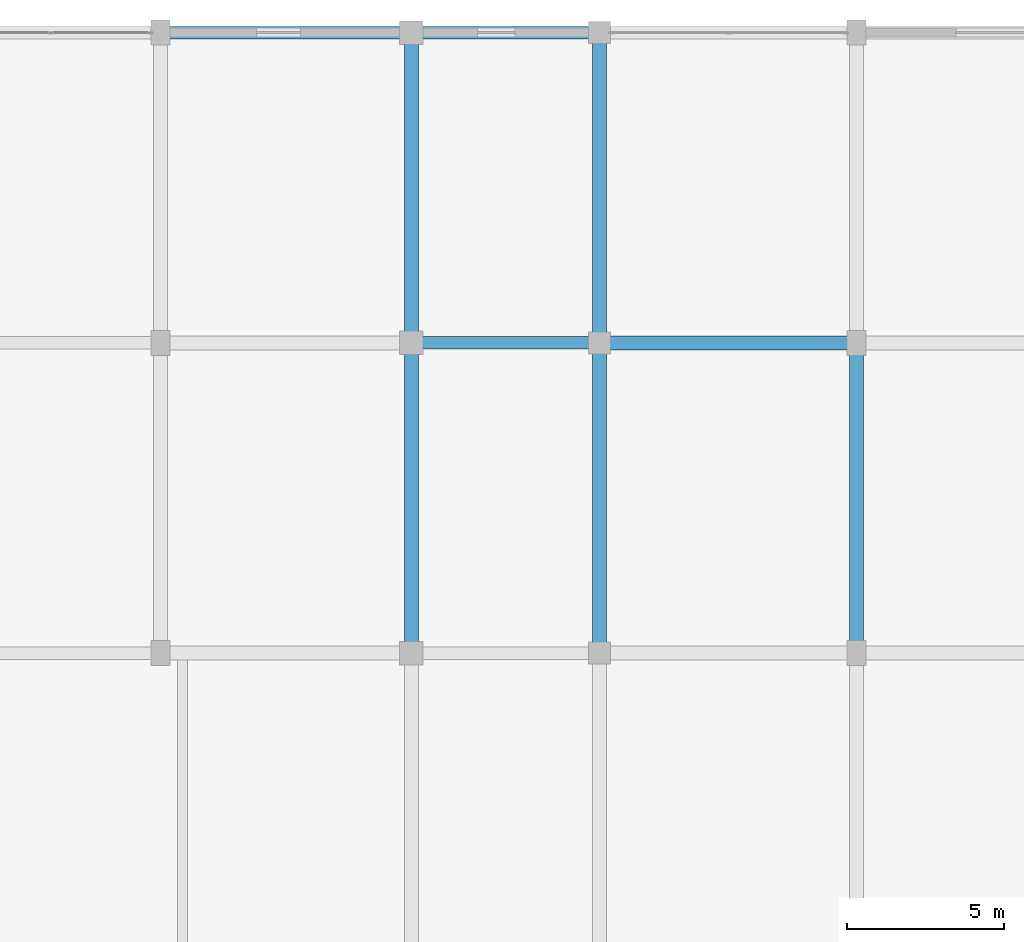
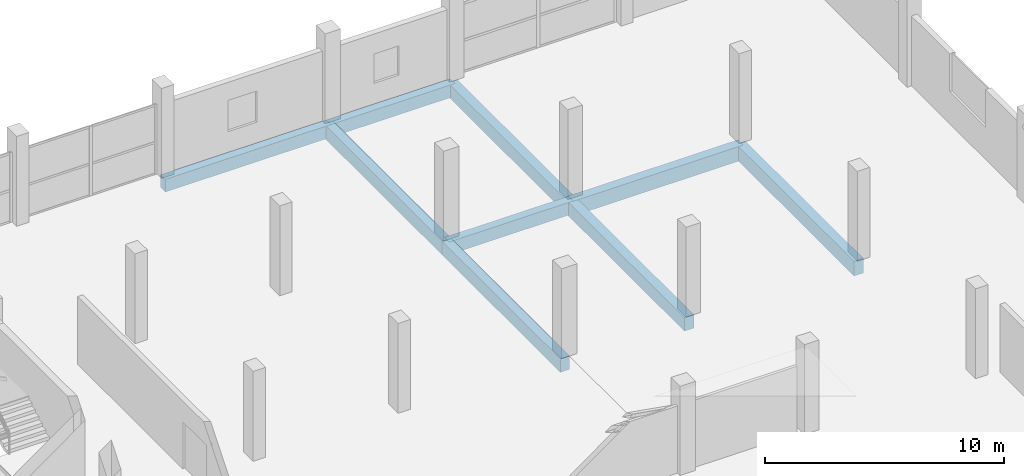
# One storey, part 34 of 58: 9 beams.
"""IFC4 building model written with IfcOpenShell, lengths in metres."""

from ifc_helpers import new_model, si_unit, direction, frame, origin, origin_2d, place, context, subcontext, project, spatial, rectangle, extrude, material, material_profile, profile_set, type_object, element, save


model = new_model("IFC4")

# Units and contexts
model_context = context("Model", 3, precision=1e-05, world=origin(), true_north=direction((0.0, 1.0)))
body_context = subcontext(model_context, "Body", "Model", "MODEL_VIEW")
ifc_project = project(units=[si_unit("LENGTHUNIT", "METRE"), si_unit("AREAUNIT", "SQUARE_METRE"), si_unit("VOLUMEUNIT", "CUBIC_METRE"), si_unit("PLANEANGLEUNIT", "RADIAN"), si_unit("MASSUNIT", "GRAM", prefix="KILO")], contexts=[model_context])

# Site, building, storey
site_placement = place(None, origin())
site = spatial("IfcSite", under=ifc_project, at=site_placement, CompositionType="ELEMENT")
building_placement = place(site_placement, origin())
building = spatial("IfcBuilding", under=site, at=building_placement, Name="Sillaruma Civic Art Gallery", CompositionType="ELEMENT")
storey_placement = place(building_placement, frame((0.0, 0.0, 28.56005859375)))
storey = spatial("IfcBuildingStorey", under=building, at=storey_placement, Name="L05", CompositionType="ELEMENT", Elevation=28.56005859375)

# Beams
ifc_material_1 = material(Name="Concrete H35 (35 MPa)", Category="concrete")
ifc_material_profile_1 = material_profile(ifc_material_1, rectangle(XDim=0.39990234375, YDim=0.64990234375, at=origin_2d()), Name="RCB400x650")
ifc_profile_set_1 = profile_set([ifc_material_profile_1], Name="Concrete H35 (35 MPa)")
beam_type_1 = type_object("IfcBeamType", Name="BM-BEAM-RCB400x650", PredefinedType="BEAM", material=ifc_profile_set_1)
beam_1_placement = place(storey_placement, frame((92.0, 89.10009765625, -0.60498046875), z_axis=(1.0, 0.0, 0.0), x_axis=(0.0, 1.0, 0.0)))
element("IfcBeam", 1, at=beam_1_placement, inside=storey, type_object=beam_type_1, Name="Beam BM-05 (L04:10:K-L)", PredefinedType="BEAM", context=body_context, shape_type="SweptSolid", body=[
    extrude(rectangle(XDim=0.39990234375, YDim=0.64990234375, at=origin_2d()), origin(), (0.0, 0.0, 1.0), 6.0),
])
ifc_material_2 = material(Name="Concrete H40 (40 MPa)", Category="concrete")
ifc_material_profile_2 = material_profile(ifc_material_2, rectangle(XDim=0.449951171875, YDim=0.75, at=origin_2d()), Name="RCB450x750")
ifc_profile_set_2 = profile_set([ifc_material_profile_2], Name="Concrete H40 (40 MPa)")
beam_type_2 = type_object("IfcBeamType", Name="BM-BEAM-RCB450x750", PredefinedType="BEAM", material=ifc_profile_set_2)
beam_2_placement = place(storey_placement, frame((98.0, 89.10009765625, -0.655029296875), z_axis=(1.0, 0.0, 0.0), x_axis=(0.0, 1.0, 0.0)))
element("IfcBeam", 2, at=beam_2_placement, inside=storey, type_object=beam_type_2, Name="Beam BM-03 (L04:10:L-M)", PredefinedType="BEAM", context=body_context, shape_type="SweptSolid", body=[
    extrude(rectangle(XDim=0.449951171875, YDim=0.75, at=origin_2d()), origin(), (0.0, 0.0, 1.0), 8.199951171875),
])
beam_3_placement = place(storey_placement, frame((106.199951171875, 79.199951171875, -0.655029296875), z_axis=(0.0, 1.0, 0.0), x_axis=(-1.0, 0.0, 0.0)))
element("IfcBeam", 3, at=beam_3_placement, inside=storey, type_object=beam_type_2, Name="Beam BM-03 (L04:M:9-10)", PredefinedType="BEAM", context=body_context, shape_type="SweptSolid", body=[
    extrude(rectangle(XDim=0.449951171875, YDim=0.75, at=origin_2d()), origin(), (0.0, 0.0, 1.0), 9.900146484375),
])
ifc_material_profile_3 = material_profile(ifc_material_1, rectangle(XDim=0.39990234375, YDim=0.64990234375, at=origin_2d()), Name="RCB400x650")
ifc_profile_set_3 = profile_set([ifc_material_profile_3], Name="Concrete H35 (35 MPa)")
beam_type_3 = type_object("IfcBeamType", Name="BM-SPANDREL-RCB400x650", PredefinedType="SPANDREL", material=ifc_profile_set_3)
beam_4_placement = place(storey_placement, frame((84.0, 99.0, -0.60498046875), z_axis=(1.0, 0.0, 0.0), x_axis=(0.0, 1.0, 0.0)))
element("IfcBeam", 4, at=beam_4_placement, inside=storey, type_object=beam_type_3, Name="Beam BS-02 (L04:11:J-K)", PredefinedType="SPANDREL", context=body_context, shape_type="SweptSolid", body=[
    extrude(rectangle(XDim=0.39990234375, YDim=0.64990234375, at=origin_2d()), origin(), (0.0, 0.0, 1.0), 8.0),
])
beam_5_placement = place(storey_placement, frame((92.0, 99.0, -0.60498046875), z_axis=(1.0, 0.0, 0.0), x_axis=(0.0, 1.0, 0.0)))
element("IfcBeam", 5, at=beam_5_placement, inside=storey, type_object=beam_type_3, Name="Beam BS-02 (L04:11:K-L)", PredefinedType="SPANDREL", context=body_context, shape_type="SweptSolid", body=[
    extrude(rectangle(XDim=0.39990234375, YDim=0.64990234375, at=origin_2d()), origin(), (0.0, 0.0, 1.0), 6.0),
])
ifc_material_profile_4 = material_profile(ifc_material_1, rectangle(XDim=0.449951171875, YDim=0.699951171875, at=origin_2d()), Name="RCB450x700")
ifc_profile_set_4 = profile_set([ifc_material_profile_4], Name="Concrete H35 (35 MPa)")
beam_type_4 = type_object("IfcBeamType", Name="BM-SPANDREL-RCB450x700", PredefinedType="SPANDREL", material=ifc_profile_set_4)
beam_6_placement = place(storey_placement, frame((92.0, 79.199951171875, -0.630126953125), z_axis=(0.0, 1.0, 0.0), x_axis=(-1.0, 0.0, 0.0)))
element("IfcBeam", 6, at=beam_6_placement, inside=storey, type_object=beam_type_4, Name="Beam BS-03 (L04:K:9-10)", PredefinedType="SPANDREL", context=body_context, shape_type="SweptSolid", body=[
    extrude(rectangle(XDim=0.449951171875, YDim=0.699951171875, at=origin_2d()), origin(), (0.0, 0.0, 1.0), 9.900146484375),
])
beam_7_placement = place(storey_placement, frame((92.0, 89.10009765625, -0.630126953125), z_axis=(0.0, 1.0, 0.0), x_axis=(-1.0, 0.0, 0.0)))
element("IfcBeam", 7, at=beam_7_placement, inside=storey, type_object=beam_type_4, Name="Beam BS-03 (L04:K:10-11)", PredefinedType="SPANDREL", context=body_context, shape_type="SweptSolid", body=[
    extrude(rectangle(XDim=0.449951171875, YDim=0.699951171875, at=origin_2d()), origin(), (0.0, 0.0, 1.0), 9.89990234375),
])
beam_8_placement = place(storey_placement, frame((98.0, 79.199951171875, -0.630126953125), z_axis=(0.0, 1.0, 0.0), x_axis=(-1.0, 0.0, 0.0)))
element("IfcBeam", 8, at=beam_8_placement, inside=storey, type_object=beam_type_4, Name="Beam BS-03 (L04:L:9-10)", PredefinedType="SPANDREL", context=body_context, shape_type="SweptSolid", body=[
    extrude(rectangle(XDim=0.449951171875, YDim=0.699951171875, at=origin_2d()), origin(), (0.0, 0.0, 1.0), 9.900146484375),
])
beam_9_placement = place(storey_placement, frame((98.0, 89.10009765625, -0.630126953125), z_axis=(0.0, 1.0, 0.0), x_axis=(-1.0, 0.0, 0.0)))
element("IfcBeam", 9, at=beam_9_placement, inside=storey, type_object=beam_type_4, Name="Beam BS-03 (L04:L:10-11)", PredefinedType="SPANDREL", context=body_context, shape_type="SweptSolid", body=[
    extrude(rectangle(XDim=0.449951171875, YDim=0.699951171875, at=origin_2d()), origin(), (0.0, 0.0, 1.0), 9.89990234375),
])

save(model, "model.ifc")
